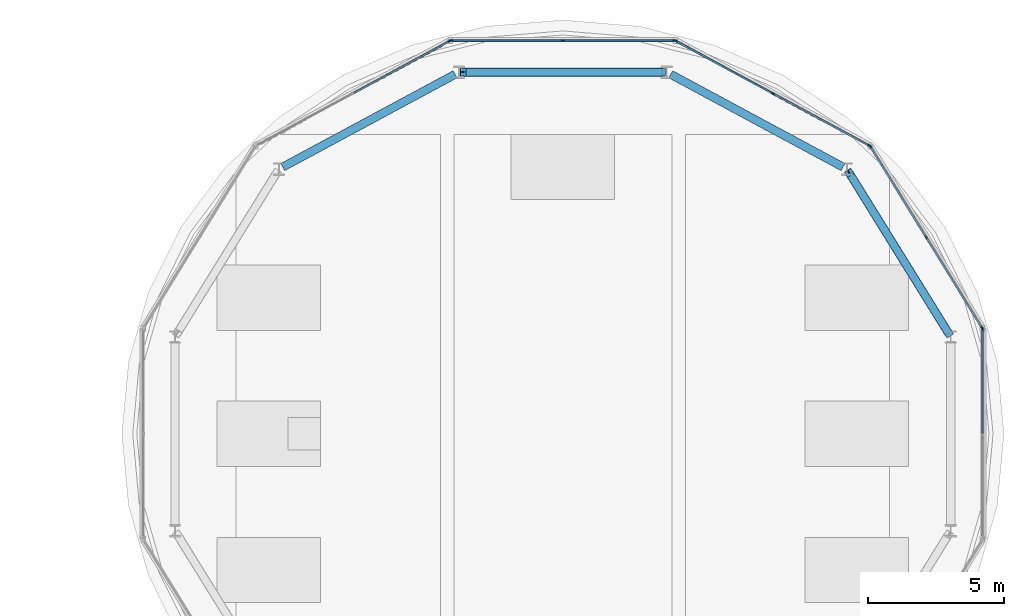
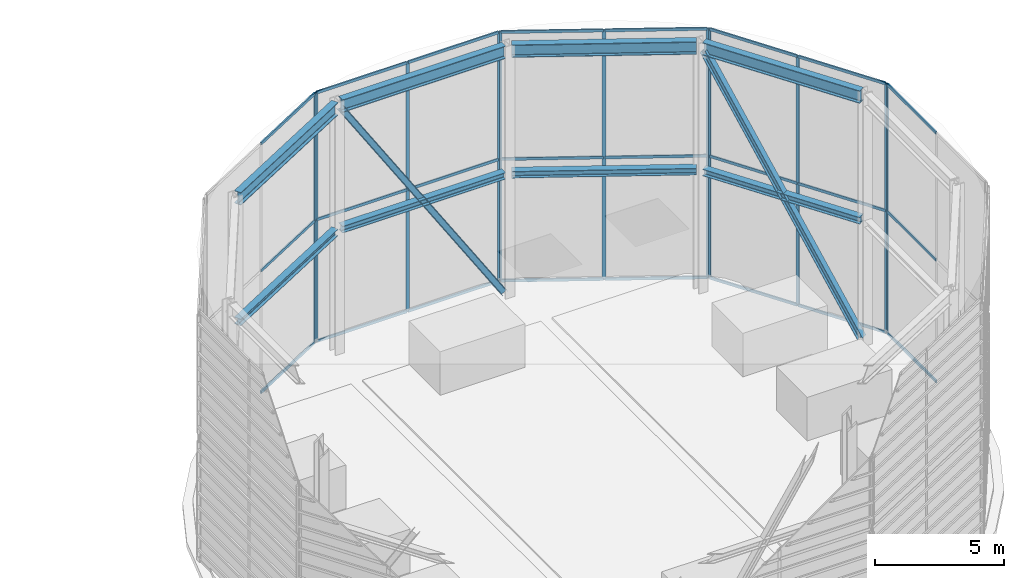
# One storey, part 9 of 17: 37 members, 8 beams, 5 elements without a shape of their own.
"""IFC4 building model written with IfcOpenShell, lengths in metres."""

from ifc_helpers import new_model, si_unit, direction, frame, origin, origin_2d, place, context, subcontext, project, spatial, rectangle, i_section, extrude, source, transform, mapped, material, layer, layer_set, material_profile, profile_set, type_object, type_shapes, element, aggregate, save


model = new_model("IFC4")

# Units and contexts
model_context = context("Model", 3, precision=1e-05, world=origin(), true_north=direction((0.0, 1.0)))
body_context = subcontext(model_context, "Body", "Model", "MODEL_VIEW")
ifc_project = project(units=[si_unit("LENGTHUNIT", "METRE"), si_unit("AREAUNIT", "SQUARE_METRE"), si_unit("VOLUMEUNIT", "CUBIC_METRE"), si_unit("PLANEANGLEUNIT", "RADIAN"), si_unit("MASSUNIT", "GRAM", prefix="KILO")], contexts=[model_context])

# Site, building, storey
site_placement = place(None, origin())
site = spatial("IfcSite", under=ifc_project, at=site_placement, CompositionType="ELEMENT")
building_placement = place(site_placement, origin())
building = spatial("IfcBuilding", under=site, at=building_placement, Name="Norrkilde Senior Care Towers", CompositionType="ELEMENT")
storey_placement = place(building_placement, frame((0.0, 0.0, 249.85009765625)))
storey = spatial("IfcBuildingStorey", under=building, at=storey_placement, Name="RF", CompositionType="ELEMENT", Elevation=249.85009765625)

# Beams
ifc_material_1 = material(Name="Steel S355", Category="steel")
ifc_material_profile_1 = material_profile(ifc_material_1, i_section(OverallWidth=0.300048828125, OverallDepth=0.60009765625, WebThickness=0.015380859375, FlangeThickness=0.030029296875, FilletRadius=0.027099609375, at=origin_2d()), Name="HEB 600")
ifc_profile_set_1 = profile_set([ifc_material_profile_1], Name="Steel S355")
beam_type_1 = type_object("IfcBeamType", Name="Crown Ring Top Girder CROWN FRAME", PredefinedType="USERDEFINED", material=ifc_profile_set_1)
shared_shape_1 = source(origin(), body_context, "Body", "SweptSolid", [
    extrude(i_section(OverallWidth=0.300048828125, OverallDepth=0.60009765625, WebThickness=0.015380859375, FlangeThickness=0.030029296875, FilletRadius=0.027099609375, at=origin_2d()), origin(), (0.0, 0.0, 1.0), 6.93017578125),
])
beam_1_placement = place(storey_placement, frame((42.1630859375, 3.69482421875, 11.809814453125), z_axis=(-0.526520754643, 0.850162275645, 0.0), x_axis=(-0.850162275645, -0.526520754643, 0.0)))
element("IfcBeam", 1, at=beam_1_placement, inside=storey, type_object=beam_type_1, Name="RF Drum E Crown Ring Top Girder 01 CROWN FRAME", ObjectType="GIRDER", PredefinedType="USERDEFINED", context=body_context, shape_type="MappedRepresentation", body=[
    mapped(shared_shape_1, transform((0.0, 0.0, 0.0), x_axis=(1.0, 0.0, 0.0), y_axis=(0.0, 1.0, 0.0), z_axis=(0.0, 0.0, 1.0), scale=1.0)),
])
ifc_material_profile_2 = material_profile(ifc_material_1, i_section(OverallWidth=0.300048828125, OverallDepth=0.320068359375, WebThickness=0.011474609375, FlangeThickness=0.0205078125, FilletRadius=0.027099609375, at=origin_2d()), Name="HEB 320")
ifc_profile_set_2 = profile_set([ifc_material_profile_2], Name="Steel S355")
beam_type_2 = type_object("IfcBeamType", Name="Crown Ring Mid Spandrel CROWN FRAME", PredefinedType="SPANDREL", material=ifc_profile_set_2)
shared_shape_2 = source(origin(), body_context, "Body", "SweptSolid", [
    extrude(i_section(OverallWidth=0.300048828125, OverallDepth=0.320068359375, WebThickness=0.011474609375, FlangeThickness=0.0205078125, FilletRadius=0.027099609375, at=origin_2d()), origin(), (0.0, 0.0, 1.0), 6.93017578125),
])
beam_2_placement = place(storey_placement, frame((42.1630859375, 3.69482421875, 5.949951171875), z_axis=(-0.526520754643, 0.850162275645, 0.0), x_axis=(-0.850162275645, -0.526520754643, 0.0)))
element("IfcBeam", 2, at=beam_2_placement, inside=storey, type_object=beam_type_2, Name="RF Drum E Crown Ring Mid Spandrel 01 CROWN FRAME", PredefinedType="SPANDREL", context=body_context, shape_type="MappedRepresentation", body=[
    mapped(shared_shape_2, transform((0.0, 0.0, 0.0), x_axis=(1.0, 0.0, 0.0), y_axis=(0.0, 1.0, 0.0), z_axis=(0.0, 0.0, 1.0), scale=1.0)),
])

# Member
ifc_material_profile_3 = material_profile(ifc_material_1, i_section(OverallWidth=0.280029296875, OverallDepth=0.280029296875, WebThickness=0.010498046875, FlangeThickness=0.01806640625, FilletRadius=0.02392578125, at=origin_2d()), Name="HEB 280")
ifc_profile_set_3 = profile_set([ifc_material_profile_3], Name="Steel S355")
member_type_1 = type_object("IfcMemberType", Name="Crown Frame Brace CROWN FRAME", PredefinedType="BRACE", material=ifc_profile_set_3)
shared_shape_3 = source(origin(), body_context, "Body", "SweptSolid", [
    extrude(i_section(OverallWidth=0.280029296875, OverallDepth=0.280029296875, WebThickness=0.010498046875, FlangeThickness=0.01806640625, FilletRadius=0.02392578125, at=origin_2d()), origin(), (0.0, 0.0, 1.0), 13.264404296875),
])
member_1_placement = place(storey_placement, frame((42.1630859375, 3.69482421875, 0.349853515625), z_axis=(-0.275090388538, 0.444182814571, 0.852658727378), x_axis=(-0.850162275645, -0.526520754643, 0.0)))
element("IfcMember", 3, at=member_1_placement, inside=storey, type_object=member_type_1, Name="RF Drum E Crown Ring Brace 01 CROWN FRAME", PredefinedType="BRACE", context=body_context, shape_type="MappedRepresentation", body=[
    mapped(shared_shape_3, transform((0.0, 0.0, 0.0), x_axis=(1.0, 0.0, 0.0), y_axis=(0.0, 1.0, 0.0), z_axis=(0.0, 0.0, 1.0), scale=1.0)),
])

# Beams
shared_shape_4 = source(origin(), body_context, "Body", "SweptSolid", [
    extrude(i_section(OverallWidth=0.300048828125, OverallDepth=0.60009765625, WebThickness=0.015380859375, FlangeThickness=0.030029296875, FilletRadius=0.027099609375, at=origin_2d()), origin(), (0.0, 0.0, 1.0), 7.18896484375),
])
for number, where, z_axis, x_axis, name in (
    (4, (38.288818359375, 9.798583984375, 11.809814453125), (-0.880567044237, 0.473921597529, 0.0), (-0.473921597529, -0.880567044237, 0.0), "RF Drum E Crown Ring Top Girder 02 CROWN FRAME"),
    (5, (24.04150390625, 13.20556640625, 11.809814453125), (-0.880567044237, -0.473921597529, 0.0), (0.473921597529, -0.880567044237, 0.0), "RF Drum E Crown Ring Top Girder 04 CROWN FRAME"),
):
    element("IfcBeam", number, at=place(storey_placement, frame(where, z_axis=z_axis, x_axis=x_axis)), inside=storey, type_object=beam_type_1, Name=name, ObjectType="GIRDER", PredefinedType="USERDEFINED", context=body_context, shape_type="MappedRepresentation", body=[
        mapped(shared_shape_4, transform((0.0, 0.0, 0.0), x_axis=(1.0, 0.0, 0.0), y_axis=(0.0, 1.0, 0.0), z_axis=(0.0, 0.0, 1.0), scale=1.0)),
    ])
shared_shape_5 = source(origin(), body_context, "Body", "SweptSolid", [
    extrude(i_section(OverallWidth=0.300048828125, OverallDepth=0.320068359375, WebThickness=0.011474609375, FlangeThickness=0.0205078125, FilletRadius=0.027099609375, at=origin_2d()), origin(), (0.0, 0.0, 1.0), 7.18896484375),
])
for number, where, z_axis, x_axis, name in (
    (6, (38.288818359375, 9.798583984375, 5.949951171875), (-0.880567044237, 0.473921597529, 0.0), (-0.473921597529, -0.880567044237, 0.0), "RF Drum E Crown Ring Mid Spandrel 02 CROWN FRAME"),
    (7, (24.04150390625, 13.20556640625, 5.949951171875), (-0.880567044237, -0.473921597529, 0.0), (0.473921597529, -0.880567044237, 0.0), "RF Drum E Crown Ring Mid Spandrel 04 CROWN FRAME"),
):
    element("IfcBeam", number, at=place(storey_placement, frame(where, z_axis=z_axis, x_axis=x_axis)), inside=storey, type_object=beam_type_2, Name=name, PredefinedType="SPANDREL", context=body_context, shape_type="MappedRepresentation", body=[
        mapped(shared_shape_5, transform((0.0, 0.0, 0.0), x_axis=(1.0, 0.0, 0.0), y_axis=(0.0, 1.0, 0.0), z_axis=(0.0, 0.0, 1.0), scale=1.0)),
    ])
shared_shape_6 = source(origin(), body_context, "Body", "SweptSolid", [
    extrude(i_section(OverallWidth=0.300048828125, OverallDepth=0.60009765625, WebThickness=0.015380859375, FlangeThickness=0.030029296875, FilletRadius=0.027099609375, at=origin_2d()), origin(), (0.0, 0.0, 1.0), 7.31494140625),
])
type_shapes(beam_type_1, [shared_shape_1, shared_shape_4, shared_shape_6])
beam_3_placement = place(storey_placement, frame((31.657470703125, 13.281494140625, 11.809814453125), z_axis=(-1.0, 0.0, 0.0), x_axis=(0.0, -1.0, 0.0)))
element("IfcBeam", 8, at=beam_3_placement, inside=storey, type_object=beam_type_1, Name="RF Drum E Crown Ring Top Girder 03 CROWN FRAME", ObjectType="GIRDER", PredefinedType="USERDEFINED", context=body_context, shape_type="MappedRepresentation", body=[
    mapped(shared_shape_6, transform((0.0, 0.0, 0.0), x_axis=(1.0, 0.0, 0.0), y_axis=(0.0, 1.0, 0.0), z_axis=(0.0, 0.0, 1.0), scale=1.0)),
])
shared_shape_7 = source(origin(), body_context, "Body", "SweptSolid", [
    extrude(i_section(OverallWidth=0.300048828125, OverallDepth=0.320068359375, WebThickness=0.011474609375, FlangeThickness=0.0205078125, FilletRadius=0.027099609375, at=origin_2d()), origin(), (0.0, 0.0, 1.0), 7.31494140625),
])
type_shapes(beam_type_2, [shared_shape_2, shared_shape_5, shared_shape_7])
beam_4_placement = place(storey_placement, frame((31.657470703125, 13.281494140625, 5.949951171875), z_axis=(-1.0, 0.0, 0.0), x_axis=(0.0, -1.0, 0.0)))
element("IfcBeam", 9, at=beam_4_placement, inside=storey, type_object=beam_type_2, Name="RF Drum E Crown Ring Mid Spandrel 03 CROWN FRAME", PredefinedType="SPANDREL", context=body_context, shape_type="MappedRepresentation", body=[
    mapped(shared_shape_7, transform((0.0, 0.0, 0.0), x_axis=(1.0, 0.0, 0.0), y_axis=(0.0, 1.0, 0.0), z_axis=(0.0, 0.0, 1.0), scale=1.0)),
])

# Member
shared_shape_8 = source(origin(), body_context, "Body", "SweptSolid", [
    extrude(i_section(OverallWidth=0.280029296875, OverallDepth=0.280029296875, WebThickness=0.010498046875, FlangeThickness=0.01806640625, FilletRadius=0.02392578125, at=origin_2d()), origin(), (0.0, 0.0, 1.0), 13.469482421875),
])
type_shapes(member_type_1, [shared_shape_3, shared_shape_8])
member_2_placement = place(storey_placement, frame((31.657470703125, 13.281494140625, 0.349853515625), z_axis=(-0.543076907757, 0.0, 0.839682959373), x_axis=(0.0, -1.0, 0.0)))
element("IfcMember", 10, at=member_2_placement, inside=storey, type_object=member_type_1, Name="RF Drum E Crown Ring Brace 03 CROWN FRAME", PredefinedType="BRACE", context=body_context, shape_type="MappedRepresentation", body=[
    mapped(shared_shape_8, transform((0.0, 0.0, 0.0), x_axis=(1.0, 0.0, 0.0), y_axis=(0.0, 1.0, 0.0), z_axis=(0.0, 0.0, 1.0), scale=1.0)),
])

# Curtain wall, members
ifc_material_2 = material(Name="Triple Low-E Insulated Glazing", Category="glass")
ifc_layer = layer(ifc_material_2, 0.205078125)
ifc_layer_set = layer_set([ifc_layer], Name="Triple Low-E Insulated Glazing")
curtain_wall_type = type_object("IfcCurtainWallType", Name="CW7 L76 Damper Lantern Clear Curtain Wall", PredefinedType="NOTDEFINED", material=ifc_layer_set)
curtain_wall_1_placement = place(storey_placement, origin())
curtain_wall_1 = element("IfcCurtainWall", 11, at=curtain_wall_1_placement, inside=storey, type_object=curtain_wall_type, Name="RF Ring Crown E Screen Wall 00", PredefinedType="NOTDEFINED")
ifc_material_3 = material(Name="Anodised Aluminium", Category="aluminium")
ifc_material_profile_4 = material_profile(ifc_material_3, rectangle(XDim=0.06005859375, YDim=0.139892578125, at=origin_2d()), Name="ALU MULL 60x140")
ifc_profile_set_4 = profile_set([ifc_material_profile_4], Name="Anodised Aluminium")
member_type_2 = type_object("IfcMemberType", Name="Curtain Wall Mullion Lantern 60x140", PredefinedType="MULLION", material=ifc_profile_set_4)
shared_shape_9 = source(origin(), body_context, "Body", "SweptSolid", [
    extrude(rectangle(XDim=0.06005859375, YDim=0.139892578125, at=origin_2d()), origin(), (0.0, 0.0, 1.0), 11.849853515625),
])
type_shapes(member_type_2, [shared_shape_9])
member_3_placement = place(storey_placement, frame((39.294189453125, 10.545654296875, 0.0), z_axis=(0.0, 0.0, 1.0), x_axis=(0.85143610846, 0.524458342684, 0.0)))
member_3 = element("IfcMember", 12, at=member_3_placement, type_object=member_type_2, Name="CW-7 mullion 1", PredefinedType="MULLION", context=body_context, shape_type="MappedRepresentation", body=[
    mapped(shared_shape_9, transform((0.0, 0.0, 0.0), x_axis=(1.0, 0.0, 0.0), y_axis=(0.0, 1.0, 0.0), z_axis=(0.0, 0.0, 1.0), scale=1.0)),
])
member_4_placement = place(storey_placement, frame((41.342529296875, 7.22021484375, 0.0), z_axis=(0.0, 0.0, 1.0), x_axis=(0.85143610846, 0.524458342684, 0.0)))
member_4 = element("IfcMember", 13, at=member_4_placement, type_object=member_type_2, Name="CW-7 mullion 2", PredefinedType="MULLION", context=body_context, shape_type="MappedRepresentation", body=[
    mapped(shared_shape_9, transform((0.0, 0.0, 0.0), x_axis=(1.0, 0.0, 0.0), y_axis=(0.0, 1.0, 0.0), z_axis=(0.0, 0.0, 1.0), scale=1.0)),
])
member_5_placement = place(storey_placement, frame((43.390869140625, 3.894775390625, 0.0), z_axis=(0.0, 0.0, 1.0), x_axis=(0.85143610846, 0.524458342684, 0.0)))
member_5 = element("IfcMember", 14, at=member_5_placement, type_object=member_type_2, Name="CW-7 mullion 3", PredefinedType="MULLION", context=body_context, shape_type="MappedRepresentation", body=[
    mapped(shared_shape_9, transform((0.0, 0.0, 0.0), x_axis=(1.0, 0.0, 0.0), y_axis=(0.0, 1.0, 0.0), z_axis=(0.0, 0.0, 1.0), scale=1.0)),
])

curtain_wall_2_placement = place(storey_placement, origin())
curtain_wall_2 = element("IfcCurtainWall", 15, at=curtain_wall_2_placement, inside=storey, type_object=curtain_wall_type, Name="RF Ring Crown E Screen Wall 01", PredefinedType="NOTDEFINED")
member_6_placement = place(storey_placement, frame((32.154541015625, 14.42626953125, 0.0), z_axis=(0.0, 0.0, 1.0), x_axis=(0.475933713829, 0.879481153886, 0.0)))
member_6 = element("IfcMember", 16, at=member_6_placement, type_object=member_type_2, Name="CW-7 mullion 1", PredefinedType="MULLION", context=body_context, shape_type="MappedRepresentation", body=[
    mapped(shared_shape_9, transform((0.0, 0.0, 0.0), x_axis=(1.0, 0.0, 0.0), y_axis=(0.0, 1.0, 0.0), z_axis=(0.0, 0.0, 1.0), scale=1.0)),
])
member_7_placement = place(storey_placement, frame((35.703369140625, 12.505859375, 0.0), z_axis=(0.0, 0.0, 1.0), x_axis=(0.475933713829, 0.879481153886, 0.0)))
member_7 = element("IfcMember", 17, at=member_7_placement, type_object=member_type_2, Name="CW-7 mullion 2", PredefinedType="MULLION", context=body_context, shape_type="MappedRepresentation", body=[
    mapped(shared_shape_9, transform((0.0, 0.0, 0.0), x_axis=(1.0, 0.0, 0.0), y_axis=(0.0, 1.0, 0.0), z_axis=(0.0, 0.0, 1.0), scale=1.0)),
])
member_8_placement = place(storey_placement, frame((39.251953125, 10.58544921875, 0.0), z_axis=(0.0, 0.0, 1.0), x_axis=(0.475933713829, 0.879481153886, 0.0)))
member_8 = element("IfcMember", 18, at=member_8_placement, type_object=member_type_2, Name="CW-7 mullion 3", PredefinedType="MULLION", context=body_context, shape_type="MappedRepresentation", body=[
    mapped(shared_shape_9, transform((0.0, 0.0, 0.0), x_axis=(1.0, 0.0, 0.0), y_axis=(0.0, 1.0, 0.0), z_axis=(0.0, 0.0, 1.0), scale=1.0)),
])

curtain_wall_3_placement = place(storey_placement, origin())
curtain_wall_3 = element("IfcCurtainWall", 19, at=curtain_wall_3_placement, inside=storey, type_object=curtain_wall_type, Name="RF Ring Crown E Screen Wall 02", PredefinedType="NOTDEFINED")
member_9_placement = place(storey_placement, frame((23.90185546875, 14.440673828125, 0.0), z_axis=(0.0, 0.0, 1.0), x_axis=(0.0, 1.0, 0.0)))
member_9 = element("IfcMember", 20, at=member_9_placement, type_object=member_type_2, Name="CW-7 mullion 1", PredefinedType="MULLION", context=body_context, shape_type="MappedRepresentation", body=[
    mapped(shared_shape_9, transform((0.0, 0.0, 0.0), x_axis=(1.0, 0.0, 0.0), y_axis=(0.0, 1.0, 0.0), z_axis=(0.0, 0.0, 1.0), scale=1.0)),
])
member_10_placement = place(storey_placement, frame((28.0, 14.440673828125, 0.0), z_axis=(0.0, 0.0, 1.0), x_axis=(0.0, 1.0, 0.0)))
member_10 = element("IfcMember", 21, at=member_10_placement, type_object=member_type_2, Name="CW-7 mullion 2", PredefinedType="MULLION", context=body_context, shape_type="MappedRepresentation", body=[
    mapped(shared_shape_9, transform((0.0, 0.0, 0.0), x_axis=(1.0, 0.0, 0.0), y_axis=(0.0, 1.0, 0.0), z_axis=(0.0, 0.0, 1.0), scale=1.0)),
])
member_11_placement = place(storey_placement, frame((32.09814453125, 14.440673828125, 0.0), z_axis=(0.0, 0.0, 1.0), x_axis=(0.0, 1.0, 0.0)))
member_11 = element("IfcMember", 22, at=member_11_placement, type_object=member_type_2, Name="CW-7 mullion 3", PredefinedType="MULLION", context=body_context, shape_type="MappedRepresentation", body=[
    mapped(shared_shape_9, transform((0.0, 0.0, 0.0), x_axis=(1.0, 0.0, 0.0), y_axis=(0.0, 1.0, 0.0), z_axis=(0.0, 0.0, 1.0), scale=1.0)),
])

# Curtain wall, member
curtain_wall_4_placement = place(storey_placement, origin())
curtain_wall_4 = element("IfcCurtainWall", 23, at=curtain_wall_4_placement, inside=storey, type_object=curtain_wall_type, Name="RF Ring Crown E Screen Wall 03", PredefinedType="NOTDEFINED")
member_12_placement = place(storey_placement, frame((23.845458984375, 14.42626953125, 0.0), z_axis=(0.0, 0.0, 1.0), x_axis=(-0.475933713829, 0.879481153886, 0.0)))
member_12 = element("IfcMember", 24, at=member_12_placement, type_object=member_type_2, Name="CW-7 mullion 3", PredefinedType="MULLION", context=body_context, shape_type="MappedRepresentation", body=[
    mapped(shared_shape_9, transform((0.0, 0.0, 0.0), x_axis=(1.0, 0.0, 0.0), y_axis=(0.0, 1.0, 0.0), z_axis=(0.0, 0.0, 1.0), scale=1.0)),
])

curtain_wall_5_placement = place(storey_placement, origin())
curtain_wall_5 = element("IfcCurtainWall", 25, at=curtain_wall_5_placement, inside=storey, type_object=curtain_wall_type, Name="RF Ring Crown E Screen Wall 11", PredefinedType="NOTDEFINED")
member_13_placement = place(storey_placement, frame((43.406494140625, 3.83935546875, 0.0), z_axis=(0.0, 0.0, 1.0), x_axis=(1.0, 0.0, 0.0)))
member_13 = element("IfcMember", 26, at=member_13_placement, type_object=member_type_2, Name="CW-7 mullion 1", PredefinedType="MULLION", context=body_context, shape_type="MappedRepresentation", body=[
    mapped(shared_shape_9, transform((0.0, 0.0, 0.0), x_axis=(1.0, 0.0, 0.0), y_axis=(0.0, 1.0, 0.0), z_axis=(0.0, 0.0, 1.0), scale=1.0)),
])

# Member
ifc_material_profile_5 = material_profile(ifc_material_3, rectangle(XDim=0.06494140625, YDim=0.1298828125, at=origin_2d()), Name="ALU TRAN 65x130")
ifc_profile_set_5 = profile_set([ifc_material_profile_5], Name="Anodised Aluminium")
member_type_3 = type_object("IfcMemberType", Name="Curtain Wall Transom Heavy 65x130", PredefinedType="USERDEFINED", material=ifc_profile_set_5)
shared_shape_10 = source(origin(), body_context, "Body", "SweptSolid", [
    extrude(rectangle(XDim=0.06494140625, YDim=0.1298828125, at=origin_2d()), origin(), (0.0, 0.0, 1.0), 3.845703125),
])
member_14_placement = place(storey_placement, frame((39.309814453125, 10.520263671875, 0.032470703125), z_axis=(0.524440959275, -0.851446815858, 0.0), x_axis=(0.851446815858, 0.524440959275, 0.0)))
member_14 = element("IfcMember", 27, at=member_14_placement, type_object=member_type_3, Name="CW-7 transom 1.1", ObjectType="TRANSOM", PredefinedType="USERDEFINED", context=body_context, shape_type="MappedRepresentation", body=[
    mapped(shared_shape_10, transform((0.0, 0.0, 0.0), x_axis=(1.0, 0.0, 0.0), y_axis=(0.0, 1.0, 0.0), z_axis=(0.0, 0.0, 1.0), scale=1.0)),
])

member_15_placement = place(storey_placement, frame((39.309814453125, 10.520263671875, 5.7998046875), z_axis=(0.524440959275, -0.851446815858, 0.0), x_axis=(0.851446815858, 0.524440959275, 0.0)))
member_15 = element("IfcMember", 28, at=member_15_placement, type_object=member_type_3, Name="CW-7 transom 1.2", ObjectType="TRANSOM", PredefinedType="USERDEFINED", context=body_context, shape_type="MappedRepresentation", body=[
    mapped(shared_shape_10, transform((0.0, 0.0, 0.0), x_axis=(1.0, 0.0, 0.0), y_axis=(0.0, 1.0, 0.0), z_axis=(0.0, 0.0, 1.0), scale=1.0)),
])

member_16_placement = place(storey_placement, frame((39.309814453125, 10.520263671875, 11.8173828125), z_axis=(0.524440959275, -0.851446815858, 0.0), x_axis=(0.851446815858, 0.524440959275, 0.0)))
member_16 = element("IfcMember", 29, at=member_16_placement, type_object=member_type_3, Name="CW-7 transom 1.3", ObjectType="TRANSOM", PredefinedType="USERDEFINED", context=body_context, shape_type="MappedRepresentation", body=[
    mapped(shared_shape_10, transform((0.0, 0.0, 0.0), x_axis=(1.0, 0.0, 0.0), y_axis=(0.0, 1.0, 0.0), z_axis=(0.0, 0.0, 1.0), scale=1.0)),
])

member_17_placement = place(storey_placement, frame((41.358154296875, 7.19482421875, 0.032470703125), z_axis=(0.524440959275, -0.851446815858, 0.0), x_axis=(0.851446815858, 0.524440959275, 0.0)))
member_17 = element("IfcMember", 30, at=member_17_placement, type_object=member_type_3, Name="CW-7 transom 2.1", ObjectType="TRANSOM", PredefinedType="USERDEFINED", context=body_context, shape_type="MappedRepresentation", body=[
    mapped(shared_shape_10, transform((0.0, 0.0, 0.0), x_axis=(1.0, 0.0, 0.0), y_axis=(0.0, 1.0, 0.0), z_axis=(0.0, 0.0, 1.0), scale=1.0)),
])

member_18_placement = place(storey_placement, frame((41.358154296875, 7.19482421875, 5.7998046875), z_axis=(0.524440959275, -0.851446815858, 0.0), x_axis=(0.851446815858, 0.524440959275, 0.0)))
member_18 = element("IfcMember", 31, at=member_18_placement, type_object=member_type_3, Name="CW-7 transom 2.2", ObjectType="TRANSOM", PredefinedType="USERDEFINED", context=body_context, shape_type="MappedRepresentation", body=[
    mapped(shared_shape_10, transform((0.0, 0.0, 0.0), x_axis=(1.0, 0.0, 0.0), y_axis=(0.0, 1.0, 0.0), z_axis=(0.0, 0.0, 1.0), scale=1.0)),
])

member_19_placement = place(storey_placement, frame((41.358154296875, 7.19482421875, 11.8173828125), z_axis=(0.524440959275, -0.851446815858, 0.0), x_axis=(0.851446815858, 0.524440959275, 0.0)))
member_19 = element("IfcMember", 32, at=member_19_placement, type_object=member_type_3, Name="CW-7 transom 2.3", ObjectType="TRANSOM", PredefinedType="USERDEFINED", context=body_context, shape_type="MappedRepresentation", body=[
    mapped(shared_shape_10, transform((0.0, 0.0, 0.0), x_axis=(1.0, 0.0, 0.0), y_axis=(0.0, 1.0, 0.0), z_axis=(0.0, 0.0, 1.0), scale=1.0)),
])

aggregate(curtain_wall_1, [member_3, member_4, member_5, member_14, member_15, member_16, member_17, member_18, member_19])

shared_shape_11 = source(origin(), body_context, "Body", "SweptSolid", [
    extrude(rectangle(XDim=0.06494140625, YDim=0.1298828125, at=origin_2d()), origin(), (0.0, 0.0, 1.0), 3.974853515625),
])
member_20_placement = place(storey_placement, frame((32.180908203125, 14.412109375, 0.032470703125), z_axis=(0.879475172581, -0.475944766557, 0.0), x_axis=(0.475944766557, 0.879475172581, 0.0)))
member_20 = element("IfcMember", 33, at=member_20_placement, type_object=member_type_3, Name="CW-7 transom 1.1", ObjectType="TRANSOM", PredefinedType="USERDEFINED", context=body_context, shape_type="MappedRepresentation", body=[
    mapped(shared_shape_11, transform((0.0, 0.0, 0.0), x_axis=(1.0, 0.0, 0.0), y_axis=(0.0, 1.0, 0.0), z_axis=(0.0, 0.0, 1.0), scale=1.0)),
])

member_21_placement = place(storey_placement, frame((32.180908203125, 14.412109375, 5.7998046875), z_axis=(0.879475172581, -0.475944766557, 0.0), x_axis=(0.475944766557, 0.879475172581, 0.0)))
member_21 = element("IfcMember", 34, at=member_21_placement, type_object=member_type_3, Name="CW-7 transom 1.2", ObjectType="TRANSOM", PredefinedType="USERDEFINED", context=body_context, shape_type="MappedRepresentation", body=[
    mapped(shared_shape_11, transform((0.0, 0.0, 0.0), x_axis=(1.0, 0.0, 0.0), y_axis=(0.0, 1.0, 0.0), z_axis=(0.0, 0.0, 1.0), scale=1.0)),
])

member_22_placement = place(storey_placement, frame((32.180908203125, 14.412109375, 11.8173828125), z_axis=(0.879475172581, -0.475944766557, 0.0), x_axis=(0.475944766557, 0.879475172581, 0.0)))
member_22 = element("IfcMember", 35, at=member_22_placement, type_object=member_type_3, Name="CW-7 transom 1.3", ObjectType="TRANSOM", PredefinedType="USERDEFINED", context=body_context, shape_type="MappedRepresentation", body=[
    mapped(shared_shape_11, transform((0.0, 0.0, 0.0), x_axis=(1.0, 0.0, 0.0), y_axis=(0.0, 1.0, 0.0), z_axis=(0.0, 0.0, 1.0), scale=1.0)),
])

member_23_placement = place(storey_placement, frame((35.729736328125, 12.49169921875, 0.032470703125), z_axis=(0.879475172581, -0.475944766557, 0.0), x_axis=(0.475944766557, 0.879475172581, 0.0)))
member_23 = element("IfcMember", 36, at=member_23_placement, type_object=member_type_3, Name="CW-7 transom 2.1", ObjectType="TRANSOM", PredefinedType="USERDEFINED", context=body_context, shape_type="MappedRepresentation", body=[
    mapped(shared_shape_11, transform((0.0, 0.0, 0.0), x_axis=(1.0, 0.0, 0.0), y_axis=(0.0, 1.0, 0.0), z_axis=(0.0, 0.0, 1.0), scale=1.0)),
])

member_24_placement = place(storey_placement, frame((35.729736328125, 12.49169921875, 5.7998046875), z_axis=(0.879475172581, -0.475944766557, 0.0), x_axis=(0.475944766557, 0.879475172581, 0.0)))
member_24 = element("IfcMember", 37, at=member_24_placement, type_object=member_type_3, Name="CW-7 transom 2.2", ObjectType="TRANSOM", PredefinedType="USERDEFINED", context=body_context, shape_type="MappedRepresentation", body=[
    mapped(shared_shape_11, transform((0.0, 0.0, 0.0), x_axis=(1.0, 0.0, 0.0), y_axis=(0.0, 1.0, 0.0), z_axis=(0.0, 0.0, 1.0), scale=1.0)),
])

member_25_placement = place(storey_placement, frame((35.729736328125, 12.49169921875, 11.8173828125), z_axis=(0.879475172581, -0.475944766557, 0.0), x_axis=(0.475944766557, 0.879475172581, 0.0)))
member_25 = element("IfcMember", 38, at=member_25_placement, type_object=member_type_3, Name="CW-7 transom 2.3", ObjectType="TRANSOM", PredefinedType="USERDEFINED", context=body_context, shape_type="MappedRepresentation", body=[
    mapped(shared_shape_11, transform((0.0, 0.0, 0.0), x_axis=(1.0, 0.0, 0.0), y_axis=(0.0, 1.0, 0.0), z_axis=(0.0, 0.0, 1.0), scale=1.0)),
])

aggregate(curtain_wall_2, [member_6, member_7, member_8, member_20, member_21, member_22, member_23, member_24, member_25])

member_26_placement = place(storey_placement, frame((20.3232421875, 12.520263671875, 0.032470703125), z_axis=(0.879475172581, 0.475944766557, 0.0), x_axis=(-0.475944766557, 0.879475172581, 0.0)))
member_26 = element("IfcMember", 39, at=member_26_placement, type_object=member_type_3, Name="CW-7 transom 2.1", ObjectType="TRANSOM", PredefinedType="USERDEFINED", context=body_context, shape_type="MappedRepresentation", body=[
    mapped(shared_shape_11, transform((0.0, 0.0, 0.0), x_axis=(1.0, 0.0, 0.0), y_axis=(0.0, 1.0, 0.0), z_axis=(0.0, 0.0, 1.0), scale=1.0)),
])

member_27_placement = place(storey_placement, frame((20.3232421875, 12.520263671875, 5.7998046875), z_axis=(0.879475172581, 0.475944766557, 0.0), x_axis=(-0.475944766557, 0.879475172581, 0.0)))
member_27 = element("IfcMember", 40, at=member_27_placement, type_object=member_type_3, Name="CW-7 transom 2.2", ObjectType="TRANSOM", PredefinedType="USERDEFINED", context=body_context, shape_type="MappedRepresentation", body=[
    mapped(shared_shape_11, transform((0.0, 0.0, 0.0), x_axis=(1.0, 0.0, 0.0), y_axis=(0.0, 1.0, 0.0), z_axis=(0.0, 0.0, 1.0), scale=1.0)),
])

member_28_placement = place(storey_placement, frame((20.3232421875, 12.520263671875, 11.8173828125), z_axis=(0.879475172581, 0.475944766557, 0.0), x_axis=(-0.475944766557, 0.879475172581, 0.0)))
member_28 = element("IfcMember", 41, at=member_28_placement, type_object=member_type_3, Name="CW-7 transom 2.3", ObjectType="TRANSOM", PredefinedType="USERDEFINED", context=body_context, shape_type="MappedRepresentation", body=[
    mapped(shared_shape_11, transform((0.0, 0.0, 0.0), x_axis=(1.0, 0.0, 0.0), y_axis=(0.0, 1.0, 0.0), z_axis=(0.0, 0.0, 1.0), scale=1.0)),
])

aggregate(curtain_wall_4, [member_12, member_26, member_27, member_28])

shared_shape_12 = source(origin(), body_context, "Body", "SweptSolid", [
    extrude(rectangle(XDim=0.06494140625, YDim=0.1298828125, at=origin_2d()), origin(), (0.0, 0.0, 1.0), 4.0380859375),
])
member_29_placement = place(storey_placement, frame((23.931884765625, 14.440673828125, 0.032470703125), z_axis=(1.0, 0.0, 0.0), x_axis=(0.0, 1.0, 0.0)))
member_29 = element("IfcMember", 42, at=member_29_placement, type_object=member_type_3, Name="CW-7 transom 1.1", ObjectType="TRANSOM", PredefinedType="USERDEFINED", context=body_context, shape_type="MappedRepresentation", body=[
    mapped(shared_shape_12, transform((0.0, 0.0, 0.0), x_axis=(1.0, 0.0, 0.0), y_axis=(0.0, 1.0, 0.0), z_axis=(0.0, 0.0, 1.0), scale=1.0)),
])

member_30_placement = place(storey_placement, frame((23.931884765625, 14.440673828125, 5.7998046875), z_axis=(1.0, 0.0, 0.0), x_axis=(0.0, 1.0, 0.0)))
member_30 = element("IfcMember", 43, at=member_30_placement, type_object=member_type_3, Name="CW-7 transom 1.2", ObjectType="TRANSOM", PredefinedType="USERDEFINED", context=body_context, shape_type="MappedRepresentation", body=[
    mapped(shared_shape_12, transform((0.0, 0.0, 0.0), x_axis=(1.0, 0.0, 0.0), y_axis=(0.0, 1.0, 0.0), z_axis=(0.0, 0.0, 1.0), scale=1.0)),
])

member_31_placement = place(storey_placement, frame((23.931884765625, 14.440673828125, 11.8173828125), z_axis=(1.0, 0.0, 0.0), x_axis=(0.0, 1.0, 0.0)))
member_31 = element("IfcMember", 44, at=member_31_placement, type_object=member_type_3, Name="CW-7 transom 1.3", ObjectType="TRANSOM", PredefinedType="USERDEFINED", context=body_context, shape_type="MappedRepresentation", body=[
    mapped(shared_shape_12, transform((0.0, 0.0, 0.0), x_axis=(1.0, 0.0, 0.0), y_axis=(0.0, 1.0, 0.0), z_axis=(0.0, 0.0, 1.0), scale=1.0)),
])

member_32_placement = place(storey_placement, frame((28.030029296875, 14.440673828125, 0.032470703125), z_axis=(1.0, 0.0, 0.0), x_axis=(0.0, 1.0, 0.0)))
member_32 = element("IfcMember", 45, at=member_32_placement, type_object=member_type_3, Name="CW-7 transom 2.1", ObjectType="TRANSOM", PredefinedType="USERDEFINED", context=body_context, shape_type="MappedRepresentation", body=[
    mapped(shared_shape_12, transform((0.0, 0.0, 0.0), x_axis=(1.0, 0.0, 0.0), y_axis=(0.0, 1.0, 0.0), z_axis=(0.0, 0.0, 1.0), scale=1.0)),
])

member_33_placement = place(storey_placement, frame((28.030029296875, 14.440673828125, 5.7998046875), z_axis=(1.0, 0.0, 0.0), x_axis=(0.0, 1.0, 0.0)))
member_33 = element("IfcMember", 46, at=member_33_placement, type_object=member_type_3, Name="CW-7 transom 2.2", ObjectType="TRANSOM", PredefinedType="USERDEFINED", context=body_context, shape_type="MappedRepresentation", body=[
    mapped(shared_shape_12, transform((0.0, 0.0, 0.0), x_axis=(1.0, 0.0, 0.0), y_axis=(0.0, 1.0, 0.0), z_axis=(0.0, 0.0, 1.0), scale=1.0)),
])

member_34_placement = place(storey_placement, frame((28.030029296875, 14.440673828125, 11.8173828125), z_axis=(1.0, 0.0, 0.0), x_axis=(0.0, 1.0, 0.0)))
member_34 = element("IfcMember", 47, at=member_34_placement, type_object=member_type_3, Name="CW-7 transom 2.3", ObjectType="TRANSOM", PredefinedType="USERDEFINED", context=body_context, shape_type="MappedRepresentation", body=[
    mapped(shared_shape_12, transform((0.0, 0.0, 0.0), x_axis=(1.0, 0.0, 0.0), y_axis=(0.0, 1.0, 0.0), z_axis=(0.0, 0.0, 1.0), scale=1.0)),
])

aggregate(curtain_wall_3, [member_9, member_10, member_11, member_29, member_30, member_31, member_32, member_33, member_34])

shared_shape_13 = source(origin(), body_context, "Body", "SweptSolid", [
    extrude(rectangle(XDim=0.06494140625, YDim=0.1298828125, at=origin_2d()), origin(), (0.0, 0.0, 1.0), 3.779296875),
])
type_shapes(member_type_3, [shared_shape_10, shared_shape_11, shared_shape_12, shared_shape_13])
member_35_placement = place(storey_placement, frame((43.406494140625, 3.809326171875, 0.032470703125), z_axis=(0.0, -1.0, 0.0), x_axis=(1.0, 0.0, 0.0)))
member_35 = element("IfcMember", 48, at=member_35_placement, type_object=member_type_3, Name="CW-7 transom 1.1", ObjectType="TRANSOM", PredefinedType="USERDEFINED", context=body_context, shape_type="MappedRepresentation", body=[
    mapped(shared_shape_13, transform((0.0, 0.0, 0.0), x_axis=(1.0, 0.0, 0.0), y_axis=(0.0, 1.0, 0.0), z_axis=(0.0, 0.0, 1.0), scale=1.0)),
])

member_36_placement = place(storey_placement, frame((43.406494140625, 3.809326171875, 5.7998046875), z_axis=(0.0, -1.0, 0.0), x_axis=(1.0, 0.0, 0.0)))
member_36 = element("IfcMember", 49, at=member_36_placement, type_object=member_type_3, Name="CW-7 transom 1.2", ObjectType="TRANSOM", PredefinedType="USERDEFINED", context=body_context, shape_type="MappedRepresentation", body=[
    mapped(shared_shape_13, transform((0.0, 0.0, 0.0), x_axis=(1.0, 0.0, 0.0), y_axis=(0.0, 1.0, 0.0), z_axis=(0.0, 0.0, 1.0), scale=1.0)),
])

member_37_placement = place(storey_placement, frame((43.406494140625, 3.809326171875, 11.8173828125), z_axis=(0.0, -1.0, 0.0), x_axis=(1.0, 0.0, 0.0)))
member_37 = element("IfcMember", 50, at=member_37_placement, type_object=member_type_3, Name="CW-7 transom 1.3", ObjectType="TRANSOM", PredefinedType="USERDEFINED", context=body_context, shape_type="MappedRepresentation", body=[
    mapped(shared_shape_13, transform((0.0, 0.0, 0.0), x_axis=(1.0, 0.0, 0.0), y_axis=(0.0, 1.0, 0.0), z_axis=(0.0, 0.0, 1.0), scale=1.0)),
])

aggregate(curtain_wall_5, [member_13, member_35, member_36, member_37])

save(model, "model.ifc")
